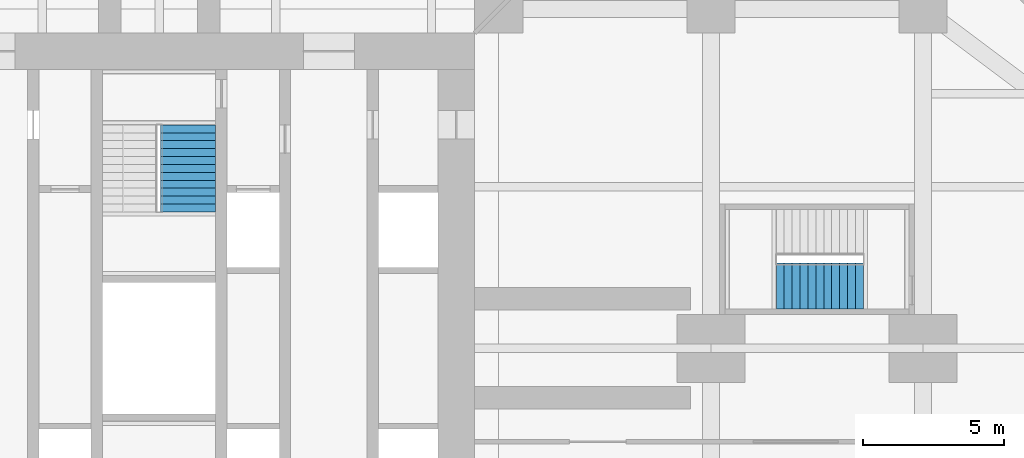
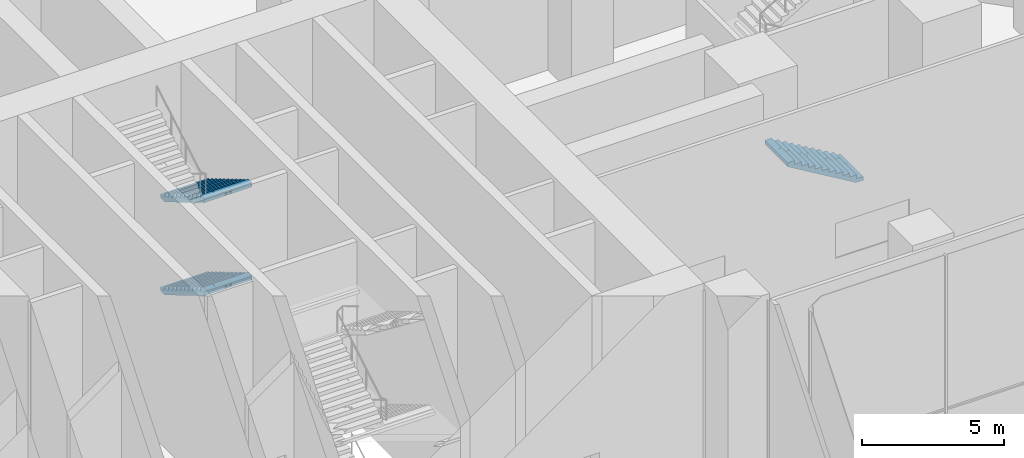
# One storey, part 23 of 25: 3 stair flights, 2 elements without a shape of their own.
"""IFC4 building model written with IfcOpenShell, lengths in metres."""

from ifc_helpers import new_model, si_unit, direction, frame, origin, place, context, subcontext, project, spatial, polyline, outline, extrude, material, type_object, element, aggregate, save


model = new_model("IFC4")

# Units and contexts
model_context = context("Model", 3, precision=1e-05, world=origin(), true_north=direction((0.0, 1.0)))
body_context = subcontext(model_context, "Body", "Model", "MODEL_VIEW")
ifc_project = project(units=[si_unit("LENGTHUNIT", "METRE"), si_unit("AREAUNIT", "SQUARE_METRE"), si_unit("VOLUMEUNIT", "CUBIC_METRE"), si_unit("PLANEANGLEUNIT", "RADIAN"), si_unit("MASSUNIT", "GRAM", prefix="KILO")], contexts=[model_context])

# Site, building, storey
site_placement = place(None, origin())
site = spatial("IfcSite", under=ifc_project, at=site_placement, CompositionType="ELEMENT")
building_placement = place(site_placement, origin())
building = spatial("IfcBuilding", under=site, at=building_placement, Name="Mizan Broadcast Tower", CompositionType="ELEMENT")
storey_placement = place(building_placement, frame((0.0, 0.0, 15.0)))
storey = spatial("IfcBuildingStorey", under=building, at=storey_placement, Name="L02", CompositionType="ELEMENT", Elevation=15.0)

# Stair, stair flights
ifc_material_1 = material(Name="Concrete C40/50", Category="concrete")
stair_type = type_object("IfcStairType", Name="EXIT STAIR", PredefinedType="HALF_TURN_STAIR", material=ifc_material_1)
stair_1_placement = place(storey_placement, origin())
stair_1 = element("IfcStair", 1, at=stair_1_placement, inside=storey, type_object=stair_type, Name="Stair B L02", PredefinedType="HALF_TURN_STAIR")
ifc_material_2 = material(Name="Concrete C40/50", Category="concrete")
stair_flight_type = type_object("IfcStairFlightType", Name="EXIT STAIR FLIGHT", PredefinedType="STRAIGHT", material=ifc_material_2)
stair_flight_1_placement = place(storey_placement, frame((1.02490234375, 7.89990234375, 0.0), z_axis=(0.0, 0.0, 1.0), x_axis=(0.0, -1.0, 0.0)))
stair_flight_1 = element("IfcStairFlight", 2, at=stair_flight_1_placement, type_object=stair_flight_type, Name="B flight 1", NumberOfRisers=12, NumberOfTreads=11, PredefinedType="STRAIGHT", RiserHeight=0.166666667, TreadLength=0.28, context=body_context, shape_type="SweptSolid", body=[
    extrude(outline(polyline([(0.0, 0.0), (0.0, 0.166748046875), (0.280029296875, 0.166748046875), (0.280029296875, 0.333251953125), (0.56005859375, 0.333251953125), (0.56005859375, 0.5), (0.840087890625, 0.5), (0.840087890625, 0.666748046875), (1.1201171875, 0.666748046875), (1.1201171875, 0.833251953125), (1.39990234375, 0.833251953125), (1.39990234375, 1.0), (1.679931640625, 1.0), (1.679931640625, 1.166748046875), (1.9599609375, 1.166748046875), (1.9599609375, 1.333251953125), (2.239990234375, 1.333251953125), (2.239990234375, 1.5), (2.52001953125, 1.5), (2.52001953125, 1.666748046875), (2.800048828125, 1.666748046875), (2.800048828125, 1.833251953125), (3.080078125, 1.833251953125), (3.080078125, 2.0), (3.080078125, 1.658935546875), (0.29296875, 0.0), (0.0, 0.0)])), frame((0.0, 0.97509765625, 0.0), z_axis=(0.0, -1.0, 0.0), x_axis=(1.0, 0.0, 0.0)), (0.0, 0.0, 1.0), 0.4873046875),
    extrude(outline(polyline([(0.0, 0.0), (0.0, 0.166748046875), (0.280029296875, 0.166748046875), (0.280029296875, 0.333251953125), (0.56005859375, 0.333251953125), (0.56005859375, 0.5), (0.840087890625, 0.5), (0.840087890625, 0.666748046875), (1.1201171875, 0.666748046875), (1.1201171875, 0.833251953125), (1.39990234375, 0.833251953125), (1.39990234375, 1.0), (1.679931640625, 1.0), (1.679931640625, 1.166748046875), (1.9599609375, 1.166748046875), (1.9599609375, 1.333251953125), (2.239990234375, 1.333251953125), (2.239990234375, 1.5), (2.52001953125, 1.5), (2.52001953125, 1.666748046875), (2.800048828125, 1.666748046875), (2.800048828125, 1.833251953125), (3.080078125, 1.833251953125), (3.080078125, 2.0), (3.080078125, 1.658935546875), (0.29296875, 0.0), (0.0, 0.0)])), frame((0.0, 0.4873046875, 0.0), z_axis=(0.0, -1.0, 0.0), x_axis=(1.0, 0.0, 0.0)), (0.0, 0.0, 1.0), 0.2431640625),
    extrude(outline(polyline([(0.0, 0.0), (0.0, 0.166748046875), (0.280029296875, 0.166748046875), (0.280029296875, 0.333251953125), (0.56005859375, 0.333251953125), (0.56005859375, 0.5), (0.840087890625, 0.5), (0.840087890625, 0.666748046875), (1.1201171875, 0.666748046875), (1.1201171875, 0.833251953125), (1.39990234375, 0.833251953125), (1.39990234375, 1.0), (1.679931640625, 1.0), (1.679931640625, 1.166748046875), (1.9599609375, 1.166748046875), (1.9599609375, 1.333251953125), (2.239990234375, 1.333251953125), (2.239990234375, 1.5), (2.52001953125, 1.5), (2.52001953125, 1.666748046875), (2.800048828125, 1.666748046875), (2.800048828125, 1.833251953125), (3.080078125, 1.833251953125), (3.080078125, 2.0), (3.080078125, 1.658935546875), (0.29296875, 0.0), (0.0, 0.0)])), frame((0.0, 0.24365234375, 0.0), z_axis=(0.0, -1.0, 0.0), x_axis=(1.0, 0.0, 0.0)), (0.0, 0.0, 1.0), 0.121337890625),
    extrude(outline(polyline([(0.0, 0.0), (0.0, 0.166748046875), (0.280029296875, 0.166748046875), (0.280029296875, 0.333251953125), (0.56005859375, 0.333251953125), (0.56005859375, 0.5), (0.840087890625, 0.5), (0.840087890625, 0.666748046875), (1.1201171875, 0.666748046875), (1.1201171875, 0.833251953125), (1.39990234375, 0.833251953125), (1.39990234375, 1.0), (1.679931640625, 1.0), (1.679931640625, 1.166748046875), (1.9599609375, 1.166748046875), (1.9599609375, 1.333251953125), (2.239990234375, 1.333251953125), (2.239990234375, 1.5), (2.52001953125, 1.5), (2.52001953125, 1.666748046875), (2.800048828125, 1.666748046875), (2.800048828125, 1.833251953125), (3.080078125, 1.833251953125), (3.080078125, 2.0), (3.080078125, 1.658935546875), (0.29296875, 0.0), (0.0, 0.0)])), frame((0.0, 0.121826171875, 0.0), z_axis=(0.0, -1.0, 0.0), x_axis=(1.0, 0.0, 0.0)), (0.0, 0.0, 1.0), 0.060546875),
    extrude(outline(polyline([(0.0, 0.0), (0.0, 0.166748046875), (0.280029296875, 0.166748046875), (0.280029296875, 0.333251953125), (0.56005859375, 0.333251953125), (0.56005859375, 0.5), (0.840087890625, 0.5), (0.840087890625, 0.666748046875), (1.1201171875, 0.666748046875), (1.1201171875, 0.833251953125), (1.39990234375, 0.833251953125), (1.39990234375, 1.0), (1.679931640625, 1.0), (1.679931640625, 1.166748046875), (1.9599609375, 1.166748046875), (1.9599609375, 1.333251953125), (2.239990234375, 1.333251953125), (2.239990234375, 1.5), (2.52001953125, 1.5), (2.52001953125, 1.666748046875), (2.800048828125, 1.666748046875), (2.800048828125, 1.833251953125), (3.080078125, 1.833251953125), (3.080078125, 2.0), (3.080078125, 1.658935546875), (0.29296875, 0.0), (0.0, 0.0)])), frame((0.0, 0.060791015625, 0.0), z_axis=(0.0, -1.0, 0.0), x_axis=(1.0, 0.0, 0.0)), (0.0, 0.0, 1.0), 0.030029296875),
    extrude(outline(polyline([(0.0, 0.0), (0.0, 0.166748046875), (0.280029296875, 0.166748046875), (0.280029296875, 0.333251953125), (0.56005859375, 0.333251953125), (0.56005859375, 0.5), (0.840087890625, 0.5), (0.840087890625, 0.666748046875), (1.1201171875, 0.666748046875), (1.1201171875, 0.833251953125), (1.39990234375, 0.833251953125), (1.39990234375, 1.0), (1.679931640625, 1.0), (1.679931640625, 1.166748046875), (1.9599609375, 1.166748046875), (1.9599609375, 1.333251953125), (2.239990234375, 1.333251953125), (2.239990234375, 1.5), (2.52001953125, 1.5), (2.52001953125, 1.666748046875), (2.800048828125, 1.666748046875), (2.800048828125, 1.833251953125), (3.080078125, 1.833251953125), (3.080078125, 2.0), (3.080078125, 1.658935546875), (0.29296875, 0.0), (0.0, 0.0)])), frame((0.0, 0.0302734375, 0.0), z_axis=(0.0, -1.0, 0.0), x_axis=(1.0, 0.0, 0.0)), (0.0, 0.0, 1.0), 0.060302734375),
    extrude(outline(polyline([(0.0, 0.0), (0.0, 0.166748046875), (0.280029296875, 0.166748046875), (0.280029296875, 0.333251953125), (0.56005859375, 0.333251953125), (0.56005859375, 0.5), (0.840087890625, 0.5), (0.840087890625, 0.666748046875), (1.1201171875, 0.666748046875), (1.1201171875, 0.833251953125), (1.39990234375, 0.833251953125), (1.39990234375, 1.0), (1.679931640625, 1.0), (1.679931640625, 1.166748046875), (1.9599609375, 1.166748046875), (1.9599609375, 1.333251953125), (2.239990234375, 1.333251953125), (2.239990234375, 1.5), (2.52001953125, 1.5), (2.52001953125, 1.666748046875), (2.800048828125, 1.666748046875), (2.800048828125, 1.833251953125), (3.080078125, 1.833251953125), (3.080078125, 2.0), (3.080078125, 1.658935546875), (0.29296875, 0.0), (0.0, 0.0)])), frame((0.0, -0.030517578125, 0.0), z_axis=(0.0, -1.0, 0.0), x_axis=(1.0, 0.0, 0.0)), (0.0, 0.0, 1.0), 0.030029296875),
    extrude(outline(polyline([(0.0, 0.0), (0.0, 0.166748046875), (0.280029296875, 0.166748046875), (0.280029296875, 0.333251953125), (0.56005859375, 0.333251953125), (0.56005859375, 0.5), (0.840087890625, 0.5), (0.840087890625, 0.666748046875), (1.1201171875, 0.666748046875), (1.1201171875, 0.833251953125), (1.39990234375, 0.833251953125), (1.39990234375, 1.0), (1.679931640625, 1.0), (1.679931640625, 1.166748046875), (1.9599609375, 1.166748046875), (1.9599609375, 1.333251953125), (2.239990234375, 1.333251953125), (2.239990234375, 1.5), (2.52001953125, 1.5), (2.52001953125, 1.666748046875), (2.800048828125, 1.666748046875), (2.800048828125, 1.833251953125), (3.080078125, 1.833251953125), (3.080078125, 2.0), (3.080078125, 1.658935546875), (0.29296875, 0.0), (0.0, 0.0)])), frame((0.0, -0.06103515625, 0.0), z_axis=(0.0, -1.0, 0.0), x_axis=(1.0, 0.0, 0.0)), (0.0, 0.0, 1.0), 0.060546875),
    extrude(outline(polyline([(0.0, 0.0), (0.0, 0.166748046875), (0.280029296875, 0.166748046875), (0.280029296875, 0.333251953125), (0.56005859375, 0.333251953125), (0.56005859375, 0.5), (0.840087890625, 0.5), (0.840087890625, 0.666748046875), (1.1201171875, 0.666748046875), (1.1201171875, 0.833251953125), (1.39990234375, 0.833251953125), (1.39990234375, 1.0), (1.679931640625, 1.0), (1.679931640625, 1.166748046875), (1.9599609375, 1.166748046875), (1.9599609375, 1.333251953125), (2.239990234375, 1.333251953125), (2.239990234375, 1.5), (2.52001953125, 1.5), (2.52001953125, 1.666748046875), (2.800048828125, 1.666748046875), (2.800048828125, 1.833251953125), (3.080078125, 1.833251953125), (3.080078125, 2.0), (3.080078125, 1.658935546875), (0.29296875, 0.0), (0.0, 0.0)])), frame((0.0, -0.1220703125, 0.0), z_axis=(0.0, -1.0, 0.0), x_axis=(1.0, 0.0, 0.0)), (0.0, 0.0, 1.0), 0.121337890625),
    extrude(outline(polyline([(0.0, 0.0), (0.0, 0.166748046875), (0.280029296875, 0.166748046875), (0.280029296875, 0.333251953125), (0.56005859375, 0.333251953125), (0.56005859375, 0.5), (0.840087890625, 0.5), (0.840087890625, 0.666748046875), (1.1201171875, 0.666748046875), (1.1201171875, 0.833251953125), (1.39990234375, 0.833251953125), (1.39990234375, 1.0), (1.679931640625, 1.0), (1.679931640625, 1.166748046875), (1.9599609375, 1.166748046875), (1.9599609375, 1.333251953125), (2.239990234375, 1.333251953125), (2.239990234375, 1.5), (2.52001953125, 1.5), (2.52001953125, 1.666748046875), (2.800048828125, 1.666748046875), (2.800048828125, 1.833251953125), (3.080078125, 1.833251953125), (3.080078125, 2.0), (3.080078125, 1.658935546875), (0.29296875, 0.0), (0.0, 0.0)])), frame((0.0, -0.243896484375, 0.0), z_axis=(0.0, -1.0, 0.0), x_axis=(1.0, 0.0, 0.0)), (0.0, 0.0, 1.0), 0.2431640625),
    extrude(outline(polyline([(0.0, 0.0), (0.0, 0.166748046875), (0.280029296875, 0.166748046875), (0.280029296875, 0.333251953125), (0.56005859375, 0.333251953125), (0.56005859375, 0.5), (0.840087890625, 0.5), (0.840087890625, 0.666748046875), (1.1201171875, 0.666748046875), (1.1201171875, 0.833251953125), (1.39990234375, 0.833251953125), (1.39990234375, 1.0), (1.679931640625, 1.0), (1.679931640625, 1.166748046875), (1.9599609375, 1.166748046875), (1.9599609375, 1.333251953125), (2.239990234375, 1.333251953125), (2.239990234375, 1.5), (2.52001953125, 1.5), (2.52001953125, 1.666748046875), (2.800048828125, 1.666748046875), (2.800048828125, 1.833251953125), (3.080078125, 1.833251953125), (3.080078125, 2.0), (3.080078125, 1.658935546875), (0.29296875, 0.0), (0.0, 0.0)])), frame((0.0, -0.487548828125, 0.0), z_axis=(0.0, -1.0, 0.0), x_axis=(1.0, 0.0, 0.0)), (0.0, 0.0, 1.0), 0.4873046875),
])
stair_flight_2_placement = place(storey_placement, frame((1.02490234375, 7.89990234375, 4.0), z_axis=(0.0, 0.0, 1.0), x_axis=(0.0, -1.0, 0.0)))
stair_flight_2 = element("IfcStairFlight", 3, at=stair_flight_2_placement, type_object=stair_flight_type, Name="B flight 3", NumberOfRisers=12, NumberOfTreads=11, PredefinedType="STRAIGHT", RiserHeight=0.166666667, TreadLength=0.28, context=body_context, shape_type="SweptSolid", body=[
    extrude(outline(polyline([(0.0, 0.0), (0.0, 0.166748046875), (0.280029296875, 0.166748046875), (0.280029296875, 0.333251953125), (0.56005859375, 0.333251953125), (0.56005859375, 0.5), (0.840087890625, 0.5), (0.840087890625, 0.666748046875), (1.1201171875, 0.666748046875), (1.1201171875, 0.833251953125), (1.39990234375, 0.833251953125), (1.39990234375, 1.0), (1.679931640625, 1.0), (1.679931640625, 1.166748046875), (1.9599609375, 1.166748046875), (1.9599609375, 1.333251953125), (2.239990234375, 1.333251953125), (2.239990234375, 1.5), (2.52001953125, 1.5), (2.52001953125, 1.666748046875), (2.800048828125, 1.666748046875), (2.800048828125, 1.833251953125), (3.080078125, 1.833251953125), (3.080078125, 2.0), (3.080078125, 1.658935546875), (0.29296875, 0.0), (0.0, 0.0)])), frame((0.0, 0.97509765625, 0.0), z_axis=(0.0, -1.0, 0.0), x_axis=(1.0, 0.0, 0.0)), (0.0, 0.0, 1.0), 0.4873046875),
    extrude(outline(polyline([(0.0, 0.0), (0.0, 0.166748046875), (0.280029296875, 0.166748046875), (0.280029296875, 0.333251953125), (0.56005859375, 0.333251953125), (0.56005859375, 0.5), (0.840087890625, 0.5), (0.840087890625, 0.666748046875), (1.1201171875, 0.666748046875), (1.1201171875, 0.833251953125), (1.39990234375, 0.833251953125), (1.39990234375, 1.0), (1.679931640625, 1.0), (1.679931640625, 1.166748046875), (1.9599609375, 1.166748046875), (1.9599609375, 1.333251953125), (2.239990234375, 1.333251953125), (2.239990234375, 1.5), (2.52001953125, 1.5), (2.52001953125, 1.666748046875), (2.800048828125, 1.666748046875), (2.800048828125, 1.833251953125), (3.080078125, 1.833251953125), (3.080078125, 2.0), (3.080078125, 1.658935546875), (0.29296875, 0.0), (0.0, 0.0)])), frame((0.0, 0.4873046875, 0.0), z_axis=(0.0, -1.0, 0.0), x_axis=(1.0, 0.0, 0.0)), (0.0, 0.0, 1.0), 0.2431640625),
    extrude(outline(polyline([(0.0, 0.0), (0.0, 0.166748046875), (0.280029296875, 0.166748046875), (0.280029296875, 0.333251953125), (0.56005859375, 0.333251953125), (0.56005859375, 0.5), (0.840087890625, 0.5), (0.840087890625, 0.666748046875), (1.1201171875, 0.666748046875), (1.1201171875, 0.833251953125), (1.39990234375, 0.833251953125), (1.39990234375, 1.0), (1.679931640625, 1.0), (1.679931640625, 1.166748046875), (1.9599609375, 1.166748046875), (1.9599609375, 1.333251953125), (2.239990234375, 1.333251953125), (2.239990234375, 1.5), (2.52001953125, 1.5), (2.52001953125, 1.666748046875), (2.800048828125, 1.666748046875), (2.800048828125, 1.833251953125), (3.080078125, 1.833251953125), (3.080078125, 2.0), (3.080078125, 1.658935546875), (0.29296875, 0.0), (0.0, 0.0)])), frame((0.0, 0.24365234375, 0.0), z_axis=(0.0, -1.0, 0.0), x_axis=(1.0, 0.0, 0.0)), (0.0, 0.0, 1.0), 0.121337890625),
    extrude(outline(polyline([(0.0, 0.0), (0.0, 0.166748046875), (0.280029296875, 0.166748046875), (0.280029296875, 0.333251953125), (0.56005859375, 0.333251953125), (0.56005859375, 0.5), (0.840087890625, 0.5), (0.840087890625, 0.666748046875), (1.1201171875, 0.666748046875), (1.1201171875, 0.833251953125), (1.39990234375, 0.833251953125), (1.39990234375, 1.0), (1.679931640625, 1.0), (1.679931640625, 1.166748046875), (1.9599609375, 1.166748046875), (1.9599609375, 1.333251953125), (2.239990234375, 1.333251953125), (2.239990234375, 1.5), (2.52001953125, 1.5), (2.52001953125, 1.666748046875), (2.800048828125, 1.666748046875), (2.800048828125, 1.833251953125), (3.080078125, 1.833251953125), (3.080078125, 2.0), (3.080078125, 1.658935546875), (0.29296875, 0.0), (0.0, 0.0)])), frame((0.0, 0.121826171875, 0.0), z_axis=(0.0, -1.0, 0.0), x_axis=(1.0, 0.0, 0.0)), (0.0, 0.0, 1.0), 0.060546875),
    extrude(outline(polyline([(0.0, 0.0), (0.0, 0.166748046875), (0.280029296875, 0.166748046875), (0.280029296875, 0.333251953125), (0.56005859375, 0.333251953125), (0.56005859375, 0.5), (0.840087890625, 0.5), (0.840087890625, 0.666748046875), (1.1201171875, 0.666748046875), (1.1201171875, 0.833251953125), (1.39990234375, 0.833251953125), (1.39990234375, 1.0), (1.679931640625, 1.0), (1.679931640625, 1.166748046875), (1.9599609375, 1.166748046875), (1.9599609375, 1.333251953125), (2.239990234375, 1.333251953125), (2.239990234375, 1.5), (2.52001953125, 1.5), (2.52001953125, 1.666748046875), (2.800048828125, 1.666748046875), (2.800048828125, 1.833251953125), (3.080078125, 1.833251953125), (3.080078125, 2.0), (3.080078125, 1.658935546875), (0.29296875, 0.0), (0.0, 0.0)])), frame((0.0, 0.060791015625, 0.0), z_axis=(0.0, -1.0, 0.0), x_axis=(1.0, 0.0, 0.0)), (0.0, 0.0, 1.0), 0.030029296875),
    extrude(outline(polyline([(0.0, 0.0), (0.0, 0.166748046875), (0.280029296875, 0.166748046875), (0.280029296875, 0.333251953125), (0.56005859375, 0.333251953125), (0.56005859375, 0.5), (0.840087890625, 0.5), (0.840087890625, 0.666748046875), (1.1201171875, 0.666748046875), (1.1201171875, 0.833251953125), (1.39990234375, 0.833251953125), (1.39990234375, 1.0), (1.679931640625, 1.0), (1.679931640625, 1.166748046875), (1.9599609375, 1.166748046875), (1.9599609375, 1.333251953125), (2.239990234375, 1.333251953125), (2.239990234375, 1.5), (2.52001953125, 1.5), (2.52001953125, 1.666748046875), (2.800048828125, 1.666748046875), (2.800048828125, 1.833251953125), (3.080078125, 1.833251953125), (3.080078125, 2.0), (3.080078125, 1.658935546875), (0.29296875, 0.0), (0.0, 0.0)])), frame((0.0, 0.0302734375, 0.0), z_axis=(0.0, -1.0, 0.0), x_axis=(1.0, 0.0, 0.0)), (0.0, 0.0, 1.0), 0.060302734375),
    extrude(outline(polyline([(0.0, 0.0), (0.0, 0.166748046875), (0.280029296875, 0.166748046875), (0.280029296875, 0.333251953125), (0.56005859375, 0.333251953125), (0.56005859375, 0.5), (0.840087890625, 0.5), (0.840087890625, 0.666748046875), (1.1201171875, 0.666748046875), (1.1201171875, 0.833251953125), (1.39990234375, 0.833251953125), (1.39990234375, 1.0), (1.679931640625, 1.0), (1.679931640625, 1.166748046875), (1.9599609375, 1.166748046875), (1.9599609375, 1.333251953125), (2.239990234375, 1.333251953125), (2.239990234375, 1.5), (2.52001953125, 1.5), (2.52001953125, 1.666748046875), (2.800048828125, 1.666748046875), (2.800048828125, 1.833251953125), (3.080078125, 1.833251953125), (3.080078125, 2.0), (3.080078125, 1.658935546875), (0.29296875, 0.0), (0.0, 0.0)])), frame((0.0, -0.030517578125, 0.0), z_axis=(0.0, -1.0, 0.0), x_axis=(1.0, 0.0, 0.0)), (0.0, 0.0, 1.0), 0.030029296875),
    extrude(outline(polyline([(0.0, 0.0), (0.0, 0.166748046875), (0.280029296875, 0.166748046875), (0.280029296875, 0.333251953125), (0.56005859375, 0.333251953125), (0.56005859375, 0.5), (0.840087890625, 0.5), (0.840087890625, 0.666748046875), (1.1201171875, 0.666748046875), (1.1201171875, 0.833251953125), (1.39990234375, 0.833251953125), (1.39990234375, 1.0), (1.679931640625, 1.0), (1.679931640625, 1.166748046875), (1.9599609375, 1.166748046875), (1.9599609375, 1.333251953125), (2.239990234375, 1.333251953125), (2.239990234375, 1.5), (2.52001953125, 1.5), (2.52001953125, 1.666748046875), (2.800048828125, 1.666748046875), (2.800048828125, 1.833251953125), (3.080078125, 1.833251953125), (3.080078125, 2.0), (3.080078125, 1.658935546875), (0.29296875, 0.0), (0.0, 0.0)])), frame((0.0, -0.06103515625, 0.0), z_axis=(0.0, -1.0, 0.0), x_axis=(1.0, 0.0, 0.0)), (0.0, 0.0, 1.0), 0.060546875),
    extrude(outline(polyline([(0.0, 0.0), (0.0, 0.166748046875), (0.280029296875, 0.166748046875), (0.280029296875, 0.333251953125), (0.56005859375, 0.333251953125), (0.56005859375, 0.5), (0.840087890625, 0.5), (0.840087890625, 0.666748046875), (1.1201171875, 0.666748046875), (1.1201171875, 0.833251953125), (1.39990234375, 0.833251953125), (1.39990234375, 1.0), (1.679931640625, 1.0), (1.679931640625, 1.166748046875), (1.9599609375, 1.166748046875), (1.9599609375, 1.333251953125), (2.239990234375, 1.333251953125), (2.239990234375, 1.5), (2.52001953125, 1.5), (2.52001953125, 1.666748046875), (2.800048828125, 1.666748046875), (2.800048828125, 1.833251953125), (3.080078125, 1.833251953125), (3.080078125, 2.0), (3.080078125, 1.658935546875), (0.29296875, 0.0), (0.0, 0.0)])), frame((0.0, -0.1220703125, 0.0), z_axis=(0.0, -1.0, 0.0), x_axis=(1.0, 0.0, 0.0)), (0.0, 0.0, 1.0), 0.121337890625),
    extrude(outline(polyline([(0.0, 0.0), (0.0, 0.166748046875), (0.280029296875, 0.166748046875), (0.280029296875, 0.333251953125), (0.56005859375, 0.333251953125), (0.56005859375, 0.5), (0.840087890625, 0.5), (0.840087890625, 0.666748046875), (1.1201171875, 0.666748046875), (1.1201171875, 0.833251953125), (1.39990234375, 0.833251953125), (1.39990234375, 1.0), (1.679931640625, 1.0), (1.679931640625, 1.166748046875), (1.9599609375, 1.166748046875), (1.9599609375, 1.333251953125), (2.239990234375, 1.333251953125), (2.239990234375, 1.5), (2.52001953125, 1.5), (2.52001953125, 1.666748046875), (2.800048828125, 1.666748046875), (2.800048828125, 1.833251953125), (3.080078125, 1.833251953125), (3.080078125, 2.0), (3.080078125, 1.658935546875), (0.29296875, 0.0), (0.0, 0.0)])), frame((0.0, -0.243896484375, 0.0), z_axis=(0.0, -1.0, 0.0), x_axis=(1.0, 0.0, 0.0)), (0.0, 0.0, 1.0), 0.2431640625),
    extrude(outline(polyline([(0.0, 0.0), (0.0, 0.166748046875), (0.280029296875, 0.166748046875), (0.280029296875, 0.333251953125), (0.56005859375, 0.333251953125), (0.56005859375, 0.5), (0.840087890625, 0.5), (0.840087890625, 0.666748046875), (1.1201171875, 0.666748046875), (1.1201171875, 0.833251953125), (1.39990234375, 0.833251953125), (1.39990234375, 1.0), (1.679931640625, 1.0), (1.679931640625, 1.166748046875), (1.9599609375, 1.166748046875), (1.9599609375, 1.333251953125), (2.239990234375, 1.333251953125), (2.239990234375, 1.5), (2.52001953125, 1.5), (2.52001953125, 1.666748046875), (2.800048828125, 1.666748046875), (2.800048828125, 1.833251953125), (3.080078125, 1.833251953125), (3.080078125, 2.0), (3.080078125, 1.658935546875), (0.29296875, 0.0), (0.0, 0.0)])), frame((0.0, -0.487548828125, 0.0), z_axis=(0.0, -1.0, 0.0), x_axis=(1.0, 0.0, 0.0)), (0.0, 0.0, 1.0), 0.4873046875),
])
aggregate(stair_1, [stair_flight_1, stair_flight_2])

# Stair, stair flight
stair_2_placement = place(storey_placement, origin())
stair_2 = element("IfcStair", 4, at=stair_2_placement, inside=storey, type_object=stair_type, Name="Stair C L02", PredefinedType="HALF_TURN_STAIR")
stair_flight_3_placement = place(storey_placement, frame((24.889892578125, 2.205078125, 0.0), z_axis=(0.0, 0.0, 1.0), x_axis=(-1.0, 0.0, 0.0)))
stair_flight_3 = element("IfcStairFlight", 5, at=stair_flight_3_placement, type_object=stair_flight_type, Name="C flight 1", NumberOfRisers=12, NumberOfTreads=11, PredefinedType="STRAIGHT", RiserHeight=0.166666667, TreadLength=0.28, context=body_context, shape_type="SweptSolid", body=[
    extrude(outline(polyline([(0.0, 0.0), (0.0, 0.166748046875), (0.280029296875, 0.166748046875), (0.280029296875, 0.333251953125), (0.56005859375, 0.333251953125), (0.56005859375, 0.5), (0.840087890625, 0.5), (0.840087890625, 0.666748046875), (1.1201171875, 0.666748046875), (1.1201171875, 0.833251953125), (1.39990234375, 0.833251953125), (1.39990234375, 1.0), (1.679931640625, 1.0), (1.679931640625, 1.166748046875), (1.9599609375, 1.166748046875), (1.9599609375, 1.333251953125), (2.239990234375, 1.333251953125), (2.239990234375, 1.5), (2.52001953125, 1.5), (2.52001953125, 1.666748046875), (2.800048828125, 1.666748046875), (2.800048828125, 1.833251953125), (3.080078125, 1.833251953125), (3.080078125, 2.0), (3.080078125, 1.658935546875), (0.29296875, 0.0), (0.0, 0.0)])), frame((0.0, 0.80517578125, 0.0), z_axis=(0.0, -1.0, 0.0), x_axis=(1.0, 0.0, 0.0)), (0.0, 0.0, 1.0), 0.40234375),
    extrude(outline(polyline([(0.0, 0.0), (0.0, 0.166748046875), (0.280029296875, 0.166748046875), (0.280029296875, 0.333251953125), (0.56005859375, 0.333251953125), (0.56005859375, 0.5), (0.840087890625, 0.5), (0.840087890625, 0.666748046875), (1.1201171875, 0.666748046875), (1.1201171875, 0.833251953125), (1.39990234375, 0.833251953125), (1.39990234375, 1.0), (1.679931640625, 1.0), (1.679931640625, 1.166748046875), (1.9599609375, 1.166748046875), (1.9599609375, 1.333251953125), (2.239990234375, 1.333251953125), (2.239990234375, 1.5), (2.52001953125, 1.5), (2.52001953125, 1.666748046875), (2.800048828125, 1.666748046875), (2.800048828125, 1.833251953125), (3.080078125, 1.833251953125), (3.080078125, 2.0), (3.080078125, 1.658935546875), (0.29296875, 0.0), (0.0, 0.0)])), frame((0.0, 0.40234375, 0.0), z_axis=(0.0, -1.0, 0.0), x_axis=(1.0, 0.0, 0.0)), (0.0, 0.0, 1.0), 0.20068359375),
    extrude(outline(polyline([(0.0, 0.0), (0.0, 0.166748046875), (0.280029296875, 0.166748046875), (0.280029296875, 0.333251953125), (0.56005859375, 0.333251953125), (0.56005859375, 0.5), (0.840087890625, 0.5), (0.840087890625, 0.666748046875), (1.1201171875, 0.666748046875), (1.1201171875, 0.833251953125), (1.39990234375, 0.833251953125), (1.39990234375, 1.0), (1.679931640625, 1.0), (1.679931640625, 1.166748046875), (1.9599609375, 1.166748046875), (1.9599609375, 1.333251953125), (2.239990234375, 1.333251953125), (2.239990234375, 1.5), (2.52001953125, 1.5), (2.52001953125, 1.666748046875), (2.800048828125, 1.666748046875), (2.800048828125, 1.833251953125), (3.080078125, 1.833251953125), (3.080078125, 2.0), (3.080078125, 1.658935546875), (0.29296875, 0.0), (0.0, 0.0)])), frame((0.0, 0.201171875, 0.0), z_axis=(0.0, -1.0, 0.0), x_axis=(1.0, 0.0, 0.0)), (0.0, 0.0, 1.0), 0.10009765625),
    extrude(outline(polyline([(0.0, 0.0), (0.0, 0.166748046875), (0.280029296875, 0.166748046875), (0.280029296875, 0.333251953125), (0.56005859375, 0.333251953125), (0.56005859375, 0.5), (0.840087890625, 0.5), (0.840087890625, 0.666748046875), (1.1201171875, 0.666748046875), (1.1201171875, 0.833251953125), (1.39990234375, 0.833251953125), (1.39990234375, 1.0), (1.679931640625, 1.0), (1.679931640625, 1.166748046875), (1.9599609375, 1.166748046875), (1.9599609375, 1.333251953125), (2.239990234375, 1.333251953125), (2.239990234375, 1.5), (2.52001953125, 1.5), (2.52001953125, 1.666748046875), (2.800048828125, 1.666748046875), (2.800048828125, 1.833251953125), (3.080078125, 1.833251953125), (3.080078125, 2.0), (3.080078125, 1.658935546875), (0.29296875, 0.0), (0.0, 0.0)])), frame((0.0, 0.1005859375, 0.0), z_axis=(0.0, -1.0, 0.0), x_axis=(1.0, 0.0, 0.0)), (0.0, 0.0, 1.0), 0.0498046875),
    extrude(outline(polyline([(0.0, 0.0), (0.0, 0.166748046875), (0.280029296875, 0.166748046875), (0.280029296875, 0.333251953125), (0.56005859375, 0.333251953125), (0.56005859375, 0.5), (0.840087890625, 0.5), (0.840087890625, 0.666748046875), (1.1201171875, 0.666748046875), (1.1201171875, 0.833251953125), (1.39990234375, 0.833251953125), (1.39990234375, 1.0), (1.679931640625, 1.0), (1.679931640625, 1.166748046875), (1.9599609375, 1.166748046875), (1.9599609375, 1.333251953125), (2.239990234375, 1.333251953125), (2.239990234375, 1.5), (2.52001953125, 1.5), (2.52001953125, 1.666748046875), (2.800048828125, 1.666748046875), (2.800048828125, 1.833251953125), (3.080078125, 1.833251953125), (3.080078125, 2.0), (3.080078125, 1.658935546875), (0.29296875, 0.0), (0.0, 0.0)])), frame((0.0, 0.05029296875, 0.0), z_axis=(0.0, -1.0, 0.0), x_axis=(1.0, 0.0, 0.0)), (0.0, 0.0, 1.0), 0.024658203125),
    extrude(outline(polyline([(0.0, 0.0), (0.0, 0.166748046875), (0.280029296875, 0.166748046875), (0.280029296875, 0.333251953125), (0.56005859375, 0.333251953125), (0.56005859375, 0.5), (0.840087890625, 0.5), (0.840087890625, 0.666748046875), (1.1201171875, 0.666748046875), (1.1201171875, 0.833251953125), (1.39990234375, 0.833251953125), (1.39990234375, 1.0), (1.679931640625, 1.0), (1.679931640625, 1.166748046875), (1.9599609375, 1.166748046875), (1.9599609375, 1.333251953125), (2.239990234375, 1.333251953125), (2.239990234375, 1.5), (2.52001953125, 1.5), (2.52001953125, 1.666748046875), (2.800048828125, 1.666748046875), (2.800048828125, 1.833251953125), (3.080078125, 1.833251953125), (3.080078125, 2.0), (3.080078125, 1.658935546875), (0.29296875, 0.0), (0.0, 0.0)])), frame((0.0, 0.025146484375, 0.0), z_axis=(0.0, -1.0, 0.0), x_axis=(1.0, 0.0, 0.0)), (0.0, 0.0, 1.0), 0.050048828125),
    extrude(outline(polyline([(0.0, 0.0), (0.0, 0.166748046875), (0.280029296875, 0.166748046875), (0.280029296875, 0.333251953125), (0.56005859375, 0.333251953125), (0.56005859375, 0.5), (0.840087890625, 0.5), (0.840087890625, 0.666748046875), (1.1201171875, 0.666748046875), (1.1201171875, 0.833251953125), (1.39990234375, 0.833251953125), (1.39990234375, 1.0), (1.679931640625, 1.0), (1.679931640625, 1.166748046875), (1.9599609375, 1.166748046875), (1.9599609375, 1.333251953125), (2.239990234375, 1.333251953125), (2.239990234375, 1.5), (2.52001953125, 1.5), (2.52001953125, 1.666748046875), (2.800048828125, 1.666748046875), (2.800048828125, 1.833251953125), (3.080078125, 1.833251953125), (3.080078125, 2.0), (3.080078125, 1.658935546875), (0.29296875, 0.0), (0.0, 0.0)])), frame((0.0, -0.025390625, 0.0), z_axis=(0.0, -1.0, 0.0), x_axis=(1.0, 0.0, 0.0)), (0.0, 0.0, 1.0), 0.024658203125),
    extrude(outline(polyline([(0.0, 0.0), (0.0, 0.166748046875), (0.280029296875, 0.166748046875), (0.280029296875, 0.333251953125), (0.56005859375, 0.333251953125), (0.56005859375, 0.5), (0.840087890625, 0.5), (0.840087890625, 0.666748046875), (1.1201171875, 0.666748046875), (1.1201171875, 0.833251953125), (1.39990234375, 0.833251953125), (1.39990234375, 1.0), (1.679931640625, 1.0), (1.679931640625, 1.166748046875), (1.9599609375, 1.166748046875), (1.9599609375, 1.333251953125), (2.239990234375, 1.333251953125), (2.239990234375, 1.5), (2.52001953125, 1.5), (2.52001953125, 1.666748046875), (2.800048828125, 1.666748046875), (2.800048828125, 1.833251953125), (3.080078125, 1.833251953125), (3.080078125, 2.0), (3.080078125, 1.658935546875), (0.29296875, 0.0), (0.0, 0.0)])), frame((0.0, -0.050537109375, 0.0), z_axis=(0.0, -1.0, 0.0), x_axis=(1.0, 0.0, 0.0)), (0.0, 0.0, 1.0), 0.0498046875),
    extrude(outline(polyline([(0.0, 0.0), (0.0, 0.166748046875), (0.280029296875, 0.166748046875), (0.280029296875, 0.333251953125), (0.56005859375, 0.333251953125), (0.56005859375, 0.5), (0.840087890625, 0.5), (0.840087890625, 0.666748046875), (1.1201171875, 0.666748046875), (1.1201171875, 0.833251953125), (1.39990234375, 0.833251953125), (1.39990234375, 1.0), (1.679931640625, 1.0), (1.679931640625, 1.166748046875), (1.9599609375, 1.166748046875), (1.9599609375, 1.333251953125), (2.239990234375, 1.333251953125), (2.239990234375, 1.5), (2.52001953125, 1.5), (2.52001953125, 1.666748046875), (2.800048828125, 1.666748046875), (2.800048828125, 1.833251953125), (3.080078125, 1.833251953125), (3.080078125, 2.0), (3.080078125, 1.658935546875), (0.29296875, 0.0), (0.0, 0.0)])), frame((0.0, -0.100830078125, 0.0), z_axis=(0.0, -1.0, 0.0), x_axis=(1.0, 0.0, 0.0)), (0.0, 0.0, 1.0), 0.10009765625),
    extrude(outline(polyline([(0.0, 0.0), (0.0, 0.166748046875), (0.280029296875, 0.166748046875), (0.280029296875, 0.333251953125), (0.56005859375, 0.333251953125), (0.56005859375, 0.5), (0.840087890625, 0.5), (0.840087890625, 0.666748046875), (1.1201171875, 0.666748046875), (1.1201171875, 0.833251953125), (1.39990234375, 0.833251953125), (1.39990234375, 1.0), (1.679931640625, 1.0), (1.679931640625, 1.166748046875), (1.9599609375, 1.166748046875), (1.9599609375, 1.333251953125), (2.239990234375, 1.333251953125), (2.239990234375, 1.5), (2.52001953125, 1.5), (2.52001953125, 1.666748046875), (2.800048828125, 1.666748046875), (2.800048828125, 1.833251953125), (3.080078125, 1.833251953125), (3.080078125, 2.0), (3.080078125, 1.658935546875), (0.29296875, 0.0), (0.0, 0.0)])), frame((0.0, -0.201416015625, 0.0), z_axis=(0.0, -1.0, 0.0), x_axis=(1.0, 0.0, 0.0)), (0.0, 0.0, 1.0), 0.20068359375),
    extrude(outline(polyline([(0.0, 0.0), (0.0, 0.166748046875), (0.280029296875, 0.166748046875), (0.280029296875, 0.333251953125), (0.56005859375, 0.333251953125), (0.56005859375, 0.5), (0.840087890625, 0.5), (0.840087890625, 0.666748046875), (1.1201171875, 0.666748046875), (1.1201171875, 0.833251953125), (1.39990234375, 0.833251953125), (1.39990234375, 1.0), (1.679931640625, 1.0), (1.679931640625, 1.166748046875), (1.9599609375, 1.166748046875), (1.9599609375, 1.333251953125), (2.239990234375, 1.333251953125), (2.239990234375, 1.5), (2.52001953125, 1.5), (2.52001953125, 1.666748046875), (2.800048828125, 1.666748046875), (2.800048828125, 1.833251953125), (3.080078125, 1.833251953125), (3.080078125, 2.0), (3.080078125, 1.658935546875), (0.29296875, 0.0), (0.0, 0.0)])), frame((0.0, -0.402587890625, 0.0), z_axis=(0.0, -1.0, 0.0), x_axis=(1.0, 0.0, 0.0)), (0.0, 0.0, 1.0), 0.40234375),
])
aggregate(stair_2, [stair_flight_3])

save(model, "model.ifc")
